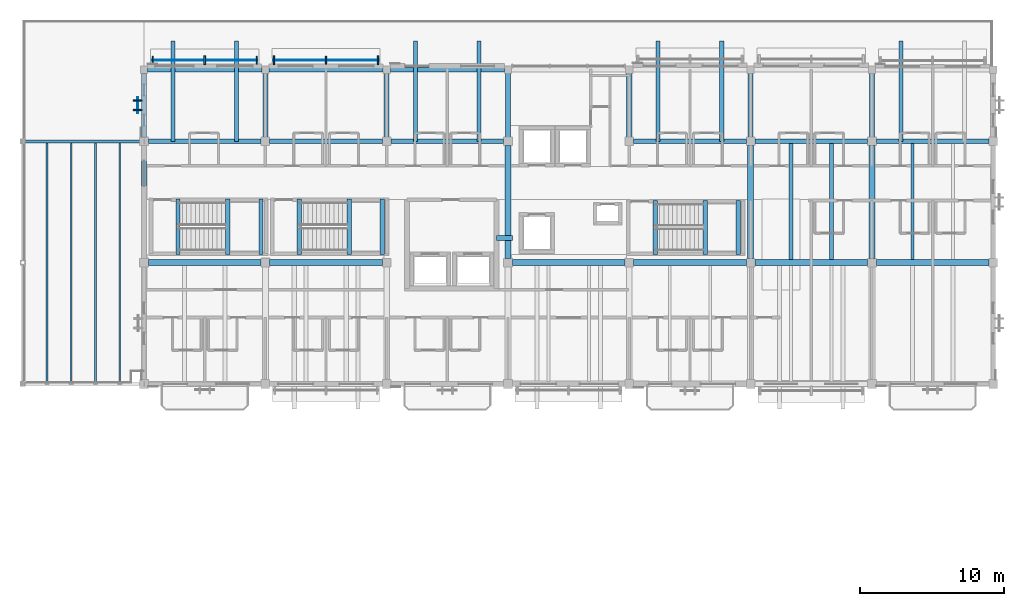
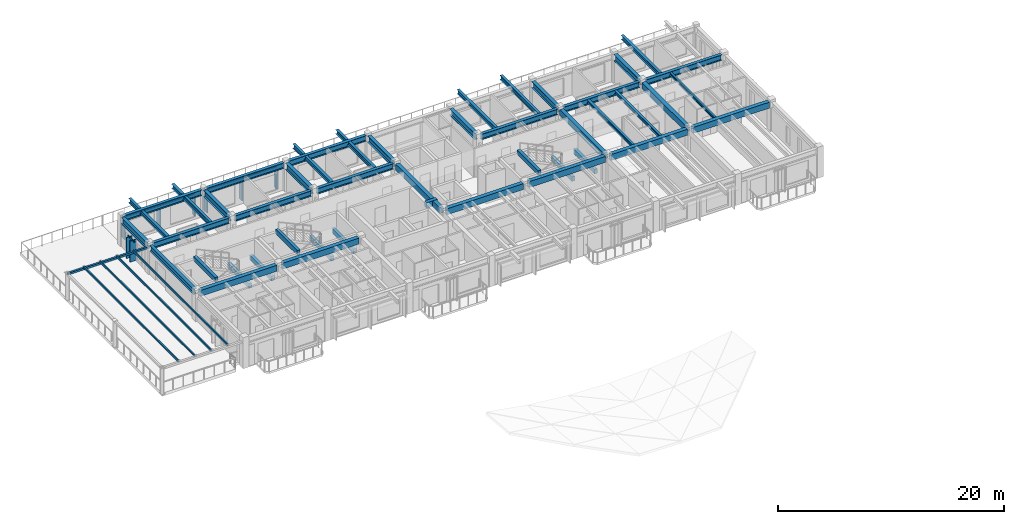
# One storey, part 5 of 22: 46 beams, 16 members, 3 elements without a shape of their own.
"""IFC4 building model written with IfcOpenShell, lengths in metres."""

from ifc_helpers import new_model, si_unit, direction, frame, origin, origin_2d, place, context, subcontext, project, spatial, rectangle, hollow_rectangle, i_section, extrude, material, material_profile, profile_set, type_object, element, aggregate, save


model = new_model("IFC4")

# Units and contexts
model_context = context("Model", 3, precision=1e-05, world=origin(), true_north=direction((0.0, 1.0)))
body_context = subcontext(model_context, "Body", "Model", "MODEL_VIEW")
ifc_project = project(units=[si_unit("LENGTHUNIT", "METRE"), si_unit("AREAUNIT", "SQUARE_METRE"), si_unit("VOLUMEUNIT", "CUBIC_METRE"), si_unit("PLANEANGLEUNIT", "RADIAN"), si_unit("MASSUNIT", "GRAM", prefix="KILO")], contexts=[model_context])

# Site, building, storey
site_placement = place(None, origin())
site = spatial("IfcSite", under=ifc_project, at=site_placement, CompositionType="ELEMENT")
building_placement = place(site_placement, origin())
building = spatial("IfcBuilding", under=site, at=building_placement, Name="Cumbredor Promenade Congress Hotel", CompositionType="ELEMENT")
storey_placement = place(building_placement, frame((0.0, 0.0, 28.56005859375)))
storey = spatial("IfcBuildingStorey", under=building, at=storey_placement, Name="L08", CompositionType="ELEMENT", Elevation=28.56005859375)

# Beams
ifc_material_1 = material(Name="Concrete C40/50", Category="concrete")
ifc_material_profile_1 = material_profile(ifc_material_1, rectangle(XDim=0.39990234375, YDim=0.64990234375, at=origin_2d()), Name="RC BEAM 400x650")
ifc_profile_set_1 = profile_set([ifc_material_profile_1], Name="Concrete C40/50")
beam_type_1 = type_object("IfcBeamType", Name="BM-RC-400x650", PredefinedType="BEAM", material=ifc_profile_set_1)
beam_1_placement = place(storey_placement, frame((8.699951171875, 100.800048828125, 2.794921875), z_axis=(1.0, 0.0, 0.0), x_axis=(0.0, 1.0, 0.0)))
element("IfcBeam", 1, at=beam_1_placement, inside=storey, type_object=beam_type_1, Name="L09 X-Grid Beam 003", PredefinedType="BEAM", context=body_context, shape_type="SweptSolid", body=[
    extrude(rectangle(XDim=0.39990234375, YDim=0.64990234375, at=origin_2d()), origin(), (0.0, 0.0, 1.0), 7.800048828125),
])
beam_2_placement = place(storey_placement, frame((17.10009765625, 100.800048828125, 2.794921875), z_axis=(1.0, 0.0, 0.0), x_axis=(0.0, 1.0, 0.0)))
element("IfcBeam", 2, at=beam_2_placement, inside=storey, type_object=beam_type_1, Name="L09 X-Grid Beam 009", PredefinedType="BEAM", context=body_context, shape_type="SweptSolid", body=[
    extrude(rectangle(XDim=0.39990234375, YDim=0.64990234375, at=origin_2d()), origin(), (0.0, 0.0, 1.0), 7.7998046875),
])
beam_3_placement = place(storey_placement, frame((33.89990234375, 100.800048828125, 2.794921875), z_axis=(1.0, 0.0, 0.0), x_axis=(0.0, 1.0, 0.0)))
element("IfcBeam", 3, at=beam_3_placement, inside=storey, type_object=beam_type_1, Name="L09 X-Grid Beam 018", PredefinedType="BEAM", context=body_context, shape_type="SweptSolid", body=[
    extrude(rectangle(XDim=0.39990234375, YDim=0.64990234375, at=origin_2d()), origin(), (0.0, 0.0, 1.0), 7.800048828125),
])
beam_4_placement = place(storey_placement, frame((33.60009765625, 101.10009765625, 2.794921875), z_axis=(0.0, 1.0, 0.0), x_axis=(-1.0, 0.0, 0.0)))
element("IfcBeam", 4, at=beam_4_placement, inside=storey, type_object=beam_type_1, Name="L09 Y-Grid Beam 019", PredefinedType="BEAM", context=body_context, shape_type="SweptSolid", body=[
    extrude(rectangle(XDim=0.39990234375, YDim=0.64990234375, at=origin_2d()), origin(), (0.0, 0.0, 1.0), 7.7998046875),
])
for number, where, z_axis, x_axis, name in (
    (5, (42.300048828125, 100.800048828125, 2.794921875), (1.0, 0.0, 0.0), (0.0, 1.0, 0.0), "L09 X-Grid Beam 023"),
    (6, (50.699951171875, 100.800048828125, 2.794921875), (1.0, 0.0, 0.0), (0.0, 1.0, 0.0), "L09 X-Grid Beam 028"),
):
    element("IfcBeam", number, at=place(storey_placement, frame(where, z_axis=z_axis, x_axis=x_axis)), inside=storey, type_object=beam_type_1, Name=name, PredefinedType="BEAM", context=body_context, shape_type="SweptSolid", body=[
        extrude(rectangle(XDim=0.39990234375, YDim=0.64990234375, at=origin_2d()), origin(), (0.0, 0.0, 1.0), 7.800048828125),
    ])
for number, where, z_axis, x_axis, name in (
    (7, (50.39990234375, 101.10009765625, 2.794921875), (0.0, 1.0, 0.0), (-1.0, 0.0, 0.0), "L09 Y-Grid Beam 029"),
    (8, (59.10009765625, 100.800048828125, 2.794921875), (1.0, 0.0, 0.0), (0.0, 1.0, 0.0), "L09 X-Grid Beam 034"),
    (9, (58.800048828125, 101.10009765625, 2.794921875), (0.0, 1.0, 0.0), (-1.0, 0.0, 0.0), "L09 Y-Grid Beam 035"),
):
    element("IfcBeam", number, at=place(storey_placement, frame(where, z_axis=z_axis, x_axis=x_axis)), inside=storey, type_object=beam_type_1, Name=name, PredefinedType="BEAM", context=body_context, shape_type="SweptSolid", body=[
        extrude(rectangle(XDim=0.39990234375, YDim=0.64990234375, at=origin_2d()), origin(), (0.0, 0.0, 1.0), 7.7998046875),
    ])
ifc_material_2 = material(Name="Steel ASTM A992 Grade 50", Category="steel")
ifc_material_profile_2 = material_profile(ifc_material_2, i_section(OverallWidth=0.323974609375, OverallDepth=0.611083984375, WebThickness=0.0126953125, FlangeThickness=0.01904296875, at=origin_2d()), Name="W24X104")
ifc_profile_set_2 = profile_set([ifc_material_profile_2], Name="Steel ASTM A992 Grade 50")
beam_type_2 = type_object("IfcBeamType", Name="BM-W24X104", PredefinedType="BEAM", material=ifc_profile_set_2)
beam_5_placement = place(storey_placement, frame((8.699951171875, 109.199951171875, 2.814453125), z_axis=(1.0, 0.0, 0.0), x_axis=(0.0, 1.0, 0.0)))
element("IfcBeam", 10, at=beam_5_placement, inside=storey, type_object=beam_type_2, Name="L09 X-Grid Beam 005", PredefinedType="BEAM", context=body_context, shape_type="SweptSolid", body=[
    extrude(i_section(OverallWidth=0.323974609375, OverallDepth=0.611083984375, WebThickness=0.0126953125, FlangeThickness=0.01904296875, at=origin_2d()), origin(), (0.0, 0.0, 1.0), 7.800048828125),
])
beam_6_placement = place(storey_placement, frame((8.64990234375, 114.14990234375, 2.814453125), z_axis=(1.0, 0.0, 0.0), x_axis=(0.0, 1.0, 0.0)))
element("IfcBeam", 11, at=beam_6_placement, inside=storey, type_object=beam_type_2, Name="L09 X-Grid Beam 006", PredefinedType="BEAM", context=body_context, shape_type="SweptSolid", body=[
    extrude(i_section(OverallWidth=0.323974609375, OverallDepth=0.611083984375, WebThickness=0.0126953125, FlangeThickness=0.01904296875, at=origin_2d()), origin(), (0.0, 0.0, 1.0), 7.900146484375),
])
beam_7_placement = place(storey_placement, frame((17.10009765625, 109.199951171875, 2.814453125), z_axis=(1.0, 0.0, 0.0), x_axis=(0.0, 1.0, 0.0)))
element("IfcBeam", 12, at=beam_7_placement, inside=storey, type_object=beam_type_2, Name="L09 X-Grid Beam 010", PredefinedType="BEAM", context=body_context, shape_type="SweptSolid", body=[
    extrude(i_section(OverallWidth=0.323974609375, OverallDepth=0.611083984375, WebThickness=0.0126953125, FlangeThickness=0.01904296875, at=origin_2d()), origin(), (0.0, 0.0, 1.0), 7.7998046875),
])
beam_8_placement = place(storey_placement, frame((17.050048828125, 114.14990234375, 2.814453125), z_axis=(1.0, 0.0, 0.0), x_axis=(0.0, 1.0, 0.0)))
element("IfcBeam", 13, at=beam_8_placement, inside=storey, type_object=beam_type_2, Name="L09 X-Grid Beam 011", PredefinedType="BEAM", context=body_context, shape_type="SweptSolid", body=[
    extrude(i_section(OverallWidth=0.323974609375, OverallDepth=0.611083984375, WebThickness=0.0126953125, FlangeThickness=0.01904296875, at=origin_2d()), origin(), (0.0, 0.0, 1.0), 7.89990234375),
])
beam_9_placement = place(storey_placement, frame((25.5, 109.199951171875, 2.814453125), z_axis=(1.0, 0.0, 0.0), x_axis=(0.0, 1.0, 0.0)))
element("IfcBeam", 14, at=beam_9_placement, inside=storey, type_object=beam_type_2, Name="L09 X-Grid Beam 014", PredefinedType="BEAM", context=body_context, shape_type="SweptSolid", body=[
    extrude(i_section(OverallWidth=0.323974609375, OverallDepth=0.611083984375, WebThickness=0.0126953125, FlangeThickness=0.01904296875, at=origin_2d()), origin(), (0.0, 0.0, 1.0), 7.800048828125),
])
beam_10_placement = place(storey_placement, frame((25.449951171875, 114.14990234375, 2.814453125), z_axis=(1.0, 0.0, 0.0), x_axis=(0.0, 1.0, 0.0)))
element("IfcBeam", 15, at=beam_10_placement, inside=storey, type_object=beam_type_2, Name="L09 X-Grid Beam 015", PredefinedType="BEAM", context=body_context, shape_type="SweptSolid", body=[
    extrude(i_section(OverallWidth=0.323974609375, OverallDepth=0.611083984375, WebThickness=0.0126953125, FlangeThickness=0.01904296875, at=origin_2d()), origin(), (0.0, 0.0, 1.0), 7.900146484375),
])
for number, where, z_axis, x_axis, name in (
    (16, (42.300048828125, 109.199951171875, 2.814453125), (1.0, 0.0, 0.0), (0.0, 1.0, 0.0), "L09 X-Grid Beam 024"),
    (17, (50.699951171875, 109.199951171875, 2.814453125), (1.0, 0.0, 0.0), (0.0, 1.0, 0.0), "L09 X-Grid Beam 030"),
):
    element("IfcBeam", number, at=place(storey_placement, frame(where, z_axis=z_axis, x_axis=x_axis)), inside=storey, type_object=beam_type_2, Name=name, PredefinedType="BEAM", context=body_context, shape_type="SweptSolid", body=[
        extrude(i_section(OverallWidth=0.323974609375, OverallDepth=0.611083984375, WebThickness=0.0126953125, FlangeThickness=0.01904296875, at=origin_2d()), origin(), (0.0, 0.0, 1.0), 7.800048828125),
    ])
beam_11_placement = place(storey_placement, frame((59.10009765625, 109.199951171875, 2.814453125), z_axis=(1.0, 0.0, 0.0), x_axis=(0.0, 1.0, 0.0)))
element("IfcBeam", 18, at=beam_11_placement, inside=storey, type_object=beam_type_2, Name="L09 X-Grid Beam 036", PredefinedType="BEAM", context=body_context, shape_type="SweptSolid", body=[
    extrude(i_section(OverallWidth=0.323974609375, OverallDepth=0.611083984375, WebThickness=0.0126953125, FlangeThickness=0.01904296875, at=origin_2d()), origin(), (0.0, 0.0, 1.0), 7.7998046875),
])
ifc_material_profile_3 = material_profile(ifc_material_2, i_section(OverallWidth=0.35498046875, OverallDepth=0.695068359375, WebThickness=0.015380859375, FlangeThickness=0.02490234375, at=origin_2d()), Name="W27X146")
ifc_profile_set_3 = profile_set([ifc_material_profile_3], Name="Steel ASTM A992 Grade 50")
beam_type_3 = type_object("IfcBeamType", Name="BM-W27X146", PredefinedType="BEAM", material=ifc_profile_set_3)
for number, where, z_axis, x_axis, name in (
    (19, (8.39990234375, 109.449951171875, 2.7724609375), (0.0, 1.0, 0.0), (-1.0, 0.0, 0.0), "L09 North Veranda Back-Spanned Cantilever Girder X8"),
    (20, (16.800048828125, 109.449951171875, 2.7724609375), (0.0, 1.0, 0.0), (-1.0, 0.0, 0.0), "L09 North Veranda Back-Spanned Cantilever Girder X16"),
    (21, (25.199951171875, 109.449951171875, 2.7724609375), (0.0, 1.0, 0.0), (-1.0, 0.0, 0.0), "L09 North Veranda Back-Spanned Cantilever Girder X25"),
    (22, (33.60009765625, 109.449951171875, 2.7724609375), (0.0, 1.0, 0.0), (-1.0, 0.0, 0.0), "L09 North Veranda Back-Spanned Cantilever Girder X33"),
    (23, (42.0, 109.449951171875, 2.7724609375), (0.0, 1.0, 0.0), (-1.0, 0.0, 0.0), "L09 North Veranda Back-Spanned Cantilever Girder X42"),
    (24, (50.39990234375, 109.449951171875, 2.7724609375), (0.0, 1.0, 0.0), (-1.0, 0.0, 0.0), "L09 North Veranda Back-Spanned Cantilever Girder X50"),
    (25, (58.800048828125, 109.449951171875, 2.7724609375), (0.0, 1.0, 0.0), (-1.0, 0.0, 0.0), "L09 North Veranda Back-Spanned Cantilever Girder X58"),
):
    element("IfcBeam", number, at=place(storey_placement, frame(where, z_axis=z_axis, x_axis=x_axis)), inside=storey, type_object=beam_type_3, Name=name, PredefinedType="BEAM", context=body_context, shape_type="SweptSolid", body=[
        extrude(i_section(OverallWidth=0.35498046875, OverallDepth=0.695068359375, WebThickness=0.015380859375, FlangeThickness=0.02490234375, at=origin_2d()), origin(), (0.0, 0.0, 1.0), 4.469970703125),
    ])

# Curtain wall, member
ifc_material_3 = material(Name="Thermally broken anodized aluminium and low-E glass", Category="aluminium")
curtain_wall_type = type_object("IfcCurtainWallType", Name="Solar Brise-Soleil Screen Assembly CW-07", PredefinedType="NOTDEFINED", material=ifc_material_3)
curtain_wall_1_placement = place(storey_placement, origin())
curtain_wall_1 = element("IfcCurtainWall", 26, at=curtain_wall_1_placement, inside=storey, type_object=curtain_wall_type, Name="L08 Hospitality Brise-Soleil Screen 106", PredefinedType="NOTDEFINED")
ifc_material_4 = material(Name="Thermally broken anodized aluminium", Category="aluminium")
ifc_material_profile_4 = material_profile(ifc_material_4, rectangle(XDim=0.06494140625, YDim=0.1298828125, at=origin_2d()), Name="ALU TRANSOM 65x130")
ifc_profile_set_4 = profile_set([ifc_material_profile_4], Name="Thermally broken anodized aluminium")
member_type_1 = type_object("IfcMemberType", Name="Curtain Wall Transom TR-01", PredefinedType="USERDEFINED", material=ifc_profile_set_4)
member_1_placement = place(storey_placement, frame((8.950927734375, 114.81005859375, 2.31396484375), z_axis=(1.0, 0.0, 0.0), x_axis=(0.0, 1.0, 0.0)))
member_1 = element("IfcMember", 27, at=member_1_placement, type_object=member_type_1, Name="L08 Brise-Soleil Screen Transom 106", ObjectType="TRANSOM", PredefinedType="USERDEFINED", context=body_context, shape_type="SweptSolid", body=[
    extrude(rectangle(XDim=0.06494140625, YDim=0.1298828125, at=origin_2d()), origin(), (0.0, 0.0, 1.0), 7.298095703125),
])

curtain_wall_2_placement = place(storey_placement, origin())
curtain_wall_2 = element("IfcCurtainWall", 28, at=curtain_wall_2_placement, inside=storey, type_object=curtain_wall_type, Name="L08 Hospitality Brise-Soleil Screen 107", PredefinedType="NOTDEFINED")
member_2_placement = place(storey_placement, frame((17.35107421875, 114.822509765625, 2.31396484375), z_axis=(1.0, 0.0, 0.0), x_axis=(0.0, 1.0, 0.0)))
member_2 = element("IfcMember", 29, at=member_2_placement, type_object=member_type_1, Name="L08 Brise-Soleil Screen Transom 107", ObjectType="TRANSOM", PredefinedType="USERDEFINED", context=body_context, shape_type="SweptSolid", body=[
    extrude(rectangle(XDim=0.06494140625, YDim=0.1298828125, at=origin_2d()), origin(), (0.0, 0.0, 1.0), 7.2978515625),
])

curtain_wall_3_placement = place(storey_placement, origin())
curtain_wall_3 = element("IfcCurtainWall", 30, at=curtain_wall_3_placement, inside=storey, type_object=curtain_wall_type, Name="L08 Pier Brise-Soleil Screen 1081", PredefinedType="NOTDEFINED")
member_3_placement = place(storey_placement, frame((7.965087890625, 111.14990234375, 2.25), z_axis=(0.0, 1.0, 0.0), x_axis=(-1.0, 0.0, 0.0)))
member_3 = element("IfcMember", 31, at=member_3_placement, type_object=member_type_1, Name="L08 Pier Brise-Soleil Header 1083", ObjectType="TRANSOM", PredefinedType="USERDEFINED", context=body_context, shape_type="SweptSolid", body=[
    extrude(rectangle(XDim=0.06494140625, YDim=0.1298828125, at=origin_2d()), origin(), (0.0, 0.0, 1.0), 1.10009765625),
])

# Beams
ifc_material_profile_5 = material_profile(ifc_material_2, i_section(OverallWidth=0.202880859375, OverallDepth=0.302978515625, WebThickness=0.007568359375, FlangeThickness=0.01318359375, at=origin_2d()), Name="W12X40")
ifc_profile_set_5 = profile_set([ifc_material_profile_5], Name="Steel ASTM A992 Grade 50")
beam_type_4 = type_object("IfcBeamType", Name="JST-W12X40", PredefinedType="JOIST", material=ifc_profile_set_5)
beam_12_placement = place(storey_placement, frame((61.60009765625, 101.0, 2.968505859375), z_axis=(0.0, 1.0, 0.0), x_axis=(-1.0, 0.0, 0.0)))
element("IfcBeam", 32, at=beam_12_placement, inside=storey, type_object=beam_type_4, Name="L09 Secondary Floor Joist 0015", PredefinedType="JOIST", context=body_context, shape_type="SweptSolid", body=[
    extrude(i_section(OverallWidth=0.202880859375, OverallDepth=0.302978515625, WebThickness=0.007568359375, FlangeThickness=0.01318359375, at=origin_2d()), origin(), (0.0, 0.0, 1.0), 8.0380859375),
])
ifc_material_profile_6 = material_profile(ifc_material_2, i_section(OverallWidth=0.2548828125, OverallDepth=0.35693359375, WebThickness=0.010498046875, FlangeThickness=0.018310546875, at=origin_2d()), Name="W14X68")
ifc_profile_set_6 = profile_set([ifc_material_profile_6], Name="Steel ASTM A992 Grade 50")
beam_type_5 = type_object("IfcBeamType", Name="JST-W14X68", PredefinedType="JOIST", material=ifc_profile_set_6)
for number, where, z_axis, x_axis, name in (
    (33, (53.199951171875, 101.0, 2.94140625), (0.0, 1.0, 0.0), (-1.0, 0.0, 0.0), "L09 Secondary Floor Joist 0011"),
    (34, (56.0, 101.0, 2.94140625), (0.0, 1.0, 0.0), (-1.0, 0.0, 0.0), "L09 Secondary Floor Joist 0012"),
):
    element("IfcBeam", number, at=place(storey_placement, frame(where, z_axis=z_axis, x_axis=x_axis)), inside=storey, type_object=beam_type_5, Name=name, PredefinedType="JOIST", context=body_context, shape_type="SweptSolid", body=[
        extrude(i_section(OverallWidth=0.2548828125, OverallDepth=0.35693359375, WebThickness=0.010498046875, FlangeThickness=0.018310546875, at=origin_2d()), origin(), (0.0, 0.0, 1.0), 8.0380859375),
    ])
ifc_material_profile_7 = material_profile(ifc_material_2, i_section(OverallWidth=0.280029296875, OverallDepth=0.462890625, WebThickness=0.0107421875, FlangeThickness=0.017333984375, at=origin_2d()), Name="W18X76")
ifc_profile_set_7 = profile_set([ifc_material_profile_7], Name="Steel ASTM A992 Grade 50")
beam_type_6 = type_object("IfcBeamType", Name="JST-W18X76", PredefinedType="JOIST", material=ifc_profile_set_7)
for number, where, z_axis, x_axis, name in (
    (35, (10.39990234375, 109.199951171875, 2.888427734375), (0.0, 1.0, 0.0), (-1.0, 0.0, 0.0), "L09 Balcony Back-Spanned Outrigger Beam 053.1"),
    (36, (14.800048828125, 109.199951171875, 2.888427734375), (0.0, 1.0, 0.0), (-1.0, 0.0, 0.0), "L09 Balcony Back-Spanned Outrigger Beam 053.2"),
    (37, (27.199951171875, 109.199951171875, 2.888427734375), (0.0, 1.0, 0.0), (-1.0, 0.0, 0.0), "L09 Balcony Back-Spanned Outrigger Beam 054.1"),
    (38, (31.60009765625, 109.199951171875, 2.888427734375), (0.0, 1.0, 0.0), (-1.0, 0.0, 0.0), "L09 Balcony Back-Spanned Outrigger Beam 054.2"),
    (39, (44.0, 109.199951171875, 2.888427734375), (0.0, 1.0, 0.0), (-1.0, 0.0, 0.0), "L09 Balcony Back-Spanned Outrigger Beam 055.1"),
    (40, (48.39990234375, 109.199951171875, 2.888427734375), (0.0, 1.0, 0.0), (-1.0, 0.0, 0.0), "L09 Balcony Back-Spanned Outrigger Beam 055.2"),
    (41, (60.800048828125, 109.199951171875, 2.888427734375), (0.0, 1.0, 0.0), (-1.0, 0.0, 0.0), "L09 Balcony Back-Spanned Outrigger Beam 056.1"),
):
    element("IfcBeam", number, at=place(storey_placement, frame(where, z_axis=z_axis, x_axis=x_axis)), inside=storey, type_object=beam_type_6, Name=name, PredefinedType="JOIST", context=body_context, shape_type="SweptSolid", body=[
        extrude(i_section(OverallWidth=0.280029296875, OverallDepth=0.462890625, WebThickness=0.0107421875, FlangeThickness=0.017333984375, at=origin_2d()), origin(), (0.0, 0.0, 1.0), 6.949951171875),
    ])
ifc_material_profile_8 = material_profile(ifc_material_1, rectangle(XDim=0.300048828125, YDim=0.5, at=origin_2d()), Name="RC LINTEL 300x500")
ifc_profile_set_8 = profile_set([ifc_material_profile_8], Name="Concrete C40/50")
beam_type_7 = type_object("IfcBeamType", Name="LN-RC-300x500", PredefinedType="LINTEL", material=ifc_profile_set_8)
for number, where, z_axis, x_axis, name in (
    (42, (16.5, 101.3701171875, 1.22998046875), (0.0, 1.0, 0.0), (-1.0, 0.0, 0.0), "L08 Stair ST-01 Landing Ledger Beam E"),
    (43, (14.199951171875, 101.3701171875, 1.22998046875), (0.0, 1.0, 0.0), (-1.0, 0.0, 0.0), "L08 Stair ST-01 Landing Ledger Beam W"),
    (44, (10.75, 101.3701171875, 3.10986328125), (0.0, 1.0, 0.0), (-1.0, 0.0, 0.0), "L09 Stair ST-01 Well Header Trimmer Beam"),
    (45, (24.89990234375, 101.3701171875, 1.22998046875), (0.0, 1.0, 0.0), (-1.0, 0.0, 0.0), "L08 Stair ST-02 Landing Ledger Beam E"),
    (46, (22.60009765625, 101.3701171875, 1.22998046875), (0.0, 1.0, 0.0), (-1.0, 0.0, 0.0), "L08 Stair ST-02 Landing Ledger Beam W"),
    (47, (19.14990234375, 101.3701171875, 3.10986328125), (0.0, 1.0, 0.0), (-1.0, 0.0, 0.0), "L09 Stair ST-02 Well Header Trimmer Beam"),
):
    element("IfcBeam", number, at=place(storey_placement, frame(where, z_axis=z_axis, x_axis=x_axis)), inside=storey, type_object=beam_type_7, Name=name, PredefinedType="LINTEL", context=body_context, shape_type="SweptSolid", body=[
        extrude(rectangle(XDim=0.300048828125, YDim=0.5, at=origin_2d()), origin(), (0.0, 0.0, 1.0), 3.829833984375),
    ])
for number, where, z_axis, x_axis, name in (
    (48, (49.550048828125, 101.3701171875, 1.22998046875), (0.0, 1.0, 0.0), (-1.0, 0.0, 0.0), "L08 Stair ST-03 Landing Ledger Beam E"),
    (49, (47.25, 101.3701171875, 1.22998046875), (0.0, 1.0, 0.0), (-1.0, 0.0, 0.0), "L08 Stair ST-03 Landing Ledger Beam W"),
    (50, (43.800048828125, 101.3701171875, 3.10986328125), (0.0, 1.0, 0.0), (-1.0, 0.0, 0.0), "L09 Stair ST-03 Well Header Trimmer Beam"),
):
    element("IfcBeam", number, at=place(storey_placement, frame(where, z_axis=z_axis, x_axis=x_axis)), inside=storey, type_object=beam_type_7, Name=name, PredefinedType="LINTEL", context=body_context, shape_type="SweptSolid", body=[
        extrude(rectangle(XDim=0.300048828125, YDim=0.5, at=origin_2d()), origin(), (0.0, 0.0, 1.0), 3.72998046875),
    ])
ifc_material_profile_9 = material_profile(ifc_material_1, rectangle(XDim=0.35009765625, YDim=0.60009765625, at=origin_2d()), Name="RC LINTEL 350x600")
ifc_profile_set_9 = profile_set([ifc_material_profile_9], Name="Concrete C40/50")
beam_type_8 = type_object("IfcBeamType", Name="LN-RC-350x600", PredefinedType="LINTEL", material=ifc_profile_set_9)
beam_13_placement = place(storey_placement, frame((32.800048828125, 102.5, 2.81982421875), z_axis=(1.0, 0.0, 0.0), x_axis=(0.0, 1.0, 0.0)))
element("IfcBeam", 51, at=beam_13_placement, inside=storey, type_object=beam_type_8, Name="L08 Core Coupling Lintel Beam", PredefinedType="LINTEL", context=body_context, shape_type="SweptSolid", body=[
    extrude(rectangle(XDim=0.35009765625, YDim=0.60009765625, at=origin_2d()), origin(), (0.0, 0.0, 1.0), 1.099853515625),
])

# Members
ifc_material_5 = material(Name="Steel ASTM A500 Grade C", Category="steel")
ifc_material_profile_10 = material_profile(ifc_material_5, hollow_rectangle(XDim=0.199951171875, YDim=0.199951171875, WallThickness=0.012451171875, at=origin_2d()), Name="HSS 200x200x12.5")
ifc_profile_set_10 = profile_set([ifc_material_profile_10], Name="Steel ASTM A500 Grade C")
member_type_2 = type_object("IfcMemberType", Name="Link Bridge Truss Chord", PredefinedType="CHORD", material=ifc_profile_set_10)
member_4_placement = place(storey_placement, frame((0.0, 109.199951171875, 2.75), z_axis=(1.0, 0.0, 0.0), x_axis=(0.0, 1.0, 0.0)))
element("IfcMember", 52, at=member_4_placement, inside=storey, type_object=member_type_2, Name="L08 Sky-Garden Pergola Tie Beam 4N", PredefinedType="CHORD", context=body_context, shape_type="SweptSolid", body=[
    extrude(hollow_rectangle(XDim=0.199951171875, YDim=0.199951171875, WallThickness=0.012451171875, at=origin_2d()), origin(), (0.0, 0.0, 1.0), 8.39990234375),
])
ifc_material_profile_11 = material_profile(ifc_material_5, hollow_rectangle(XDim=0.1201171875, YDim=0.199951171875, WallThickness=0.010009765625, at=origin_2d()), Name="HSS 200x120x10")
ifc_profile_set_11 = profile_set([ifc_material_profile_11], Name="Steel ASTM A500 Grade C")
member_type_3 = type_object("IfcMemberType", Name="Roof Purlin HSS200x120", PredefinedType="PURLIN", material=ifc_profile_set_11)
for number, where, z_axis, x_axis, name in (
    (53, (1.679931640625, 92.39990234375, 2.89990234375), (0.0, 1.0, 0.0), (-1.0, 0.0, 0.0), "L08 Sky-Garden Trellis Slat 4.2"),
    (54, (3.360107421875, 92.39990234375, 2.89990234375), (0.0, 1.0, 0.0), (-1.0, 0.0, 0.0), "L08 Sky-Garden Trellis Slat 4.3"),
    (55, (5.0400390625, 92.39990234375, 2.89990234375), (0.0, 1.0, 0.0), (-1.0, 0.0, 0.0), "L08 Sky-Garden Trellis Slat 4.4"),
    (56, (6.719970703125, 92.39990234375, 2.89990234375), (0.0, 1.0, 0.0), (-1.0, 0.0, 0.0), "L08 Sky-Garden Trellis Slat 4.5"),
):
    element("IfcMember", number, at=place(storey_placement, frame(where, z_axis=z_axis, x_axis=x_axis)), inside=storey, type_object=member_type_3, Name=name, PredefinedType="PURLIN", context=body_context, shape_type="SweptSolid", body=[
        extrude(hollow_rectangle(XDim=0.1201171875, YDim=0.199951171875, WallThickness=0.010009765625, at=origin_2d()), origin(), (0.0, 0.0, 1.0), 16.800048828125),
    ])

# Beam
ifc_material_profile_12 = material_profile(ifc_material_2, i_section(OverallWidth=0.323974609375, OverallDepth=0.611083984375, WebThickness=0.0126953125, FlangeThickness=0.01904296875, at=origin_2d()), Name="W24X104")
ifc_profile_set_12 = profile_set([ifc_material_profile_12], Name="Steel ASTM A992 Grade 50")
beam_type_9 = type_object("IfcBeamType", Name="SP-W24X104", PredefinedType="SPANDREL", material=ifc_profile_set_12)
beam_14_placement = place(storey_placement, frame((8.39990234375, 101.10009765625, 2.814453125), z_axis=(0.0, 1.0, 0.0), x_axis=(-1.0, 0.0, 0.0)))
element("IfcBeam", 57, at=beam_14_placement, inside=storey, type_object=beam_type_9, Name="L09 Y-Grid Beam 004", PredefinedType="SPANDREL", context=body_context, shape_type="SweptSolid", body=[
    extrude(i_section(OverallWidth=0.323974609375, OverallDepth=0.611083984375, WebThickness=0.0126953125, FlangeThickness=0.01904296875, at=origin_2d()), origin(), (0.0, 0.0, 1.0), 7.7998046875),
])

# Member
ifc_material_profile_13 = material_profile(ifc_material_4, rectangle(XDim=0.110107421875, YDim=0.6201171875, at=origin_2d()), Name="ARCH FIN 110x620")
ifc_profile_set_13 = profile_set([ifc_material_profile_13], Name="Thermally broken anodized aluminium")
member_type_4 = type_object("IfcMemberType", Name="Vertical Bronze Brise-Soleil Fin BSF-02 110x620", PredefinedType="USERDEFINED", material=ifc_profile_set_13)
member_5_placement = place(storey_placement, frame((12.60009765625, 114.81005859375, 0.02001953125), z_axis=(0.0, 0.0, 1.0), x_axis=(1.0, 0.0, 0.0)))
member_5 = element("IfcMember", 58, at=member_5_placement, type_object=member_type_4, Name="L08 Vertical Brise-Soleil Fin 1064", ObjectType="SOLAR FIN", PredefinedType="USERDEFINED", context=body_context, shape_type="SweptSolid", body=[
    extrude(rectangle(XDim=0.110107421875, YDim=0.6201171875, at=origin_2d()), origin(), (0.0, 0.0, 1.0), 2.35400390625),
])

member_6_placement = place(storey_placement, frame((17.40087890625, 114.822509765625, 0.02001953125), z_axis=(0.0, 0.0, 1.0), x_axis=(1.0, 0.0, 0.0)))
member_6 = element("IfcMember", 59, at=member_6_placement, type_object=member_type_4, Name="L08 Vertical Brise-Soleil Fin 1066", ObjectType="SOLAR FIN", PredefinedType="USERDEFINED", context=body_context, shape_type="SweptSolid", body=[
    extrude(rectangle(XDim=0.110107421875, YDim=0.6201171875, at=origin_2d()), origin(), (0.0, 0.0, 1.0), 2.35400390625),
])

member_7_placement = place(storey_placement, frame((24.59912109375, 114.822509765625, 0.02001953125), z_axis=(0.0, 0.0, 1.0), x_axis=(1.0, 0.0, 0.0)))
member_7 = element("IfcMember", 60, at=member_7_placement, type_object=member_type_4, Name="L08 Vertical Brise-Soleil Fin 1068", ObjectType="SOLAR FIN", PredefinedType="USERDEFINED", context=body_context, shape_type="SweptSolid", body=[
    extrude(rectangle(XDim=0.110107421875, YDim=0.6201171875, at=origin_2d()), origin(), (0.0, 0.0, 1.0), 2.35400390625),
])

member_8_placement = place(storey_placement, frame((7.965087890625, 111.3798828125, 0.02001953125), z_axis=(0.0, 0.0, 1.0), x_axis=(0.0, 1.0, 0.0)))
member_8 = element("IfcMember", 61, at=member_8_placement, type_object=member_type_4, Name="L08 Pier Brise-Soleil Fin 1082", ObjectType="SOLAR FIN", PredefinedType="USERDEFINED", context=body_context, shape_type="SweptSolid", body=[
    extrude(rectangle(XDim=0.110107421875, YDim=0.6201171875, at=origin_2d()), origin(), (0.0, 0.0, 1.0), 2.27001953125),
])

member_9_placement = place(storey_placement, frame((7.965087890625, 112.02001953125, 0.02001953125), z_axis=(0.0, 0.0, 1.0), x_axis=(0.0, 1.0, 0.0)))
member_9 = element("IfcMember", 62, at=member_9_placement, type_object=member_type_4, Name="L08 Pier Brise-Soleil Fin 1083", ObjectType="SOLAR FIN", PredefinedType="USERDEFINED", context=body_context, shape_type="SweptSolid", body=[
    extrude(rectangle(XDim=0.110107421875, YDim=0.6201171875, at=origin_2d()), origin(), (0.0, 0.0, 1.0), 2.27001953125),
])

aggregate(curtain_wall_3, [member_8, member_9, member_3])

ifc_material_6 = material(Name="Kiln-dried tropical hardwood", Category="wood")
ifc_material_profile_14 = material_profile(ifc_material_6, rectangle(XDim=0.090087890625, YDim=0.550048828125, at=origin_2d()), Name="ARCH FIN 90x550")
ifc_profile_set_14 = profile_set([ifc_material_profile_14], Name="Kiln-dried tropical hardwood")
member_type_5 = type_object("IfcMemberType", Name="Vertical Hardwood Brise-Soleil Fin BSF-01 90x550", PredefinedType="USERDEFINED", material=ifc_profile_set_14)
member_10_placement = place(storey_placement, frame((9.0009765625, 114.81005859375, 0.02001953125), z_axis=(0.0, 0.0, 1.0), x_axis=(1.0, 0.0, 0.0)))
member_10 = element("IfcMember", 63, at=member_10_placement, type_object=member_type_5, Name="L08 Vertical Brise-Soleil Fin 1063", ObjectType="SOLAR FIN", PredefinedType="USERDEFINED", context=body_context, shape_type="SweptSolid", body=[
    extrude(rectangle(XDim=0.090087890625, YDim=0.550048828125, at=origin_2d()), origin(), (0.0, 0.0, 1.0), 2.35400390625),
])

member_11_placement = place(storey_placement, frame((16.198974609375, 114.81005859375, 0.02001953125), z_axis=(0.0, 0.0, 1.0), x_axis=(1.0, 0.0, 0.0)))
member_11 = element("IfcMember", 64, at=member_11_placement, type_object=member_type_5, Name="L08 Vertical Brise-Soleil Fin 1065", ObjectType="SOLAR FIN", PredefinedType="USERDEFINED", context=body_context, shape_type="SweptSolid", body=[
    extrude(rectangle(XDim=0.090087890625, YDim=0.550048828125, at=origin_2d()), origin(), (0.0, 0.0, 1.0), 2.35400390625),
])

aggregate(curtain_wall_1, [member_1, member_10, member_5, member_11])

member_12_placement = place(storey_placement, frame((21.0, 114.822509765625, 0.02001953125), z_axis=(0.0, 0.0, 1.0), x_axis=(1.0, 0.0, 0.0)))
member_12 = element("IfcMember", 65, at=member_12_placement, type_object=member_type_5, Name="L08 Vertical Brise-Soleil Fin 1067", ObjectType="SOLAR FIN", PredefinedType="USERDEFINED", context=body_context, shape_type="SweptSolid", body=[
    extrude(rectangle(XDim=0.090087890625, YDim=0.550048828125, at=origin_2d()), origin(), (0.0, 0.0, 1.0), 2.35400390625),
])

aggregate(curtain_wall_2, [member_2, member_6, member_12, member_7])

save(model, "model.ifc")
